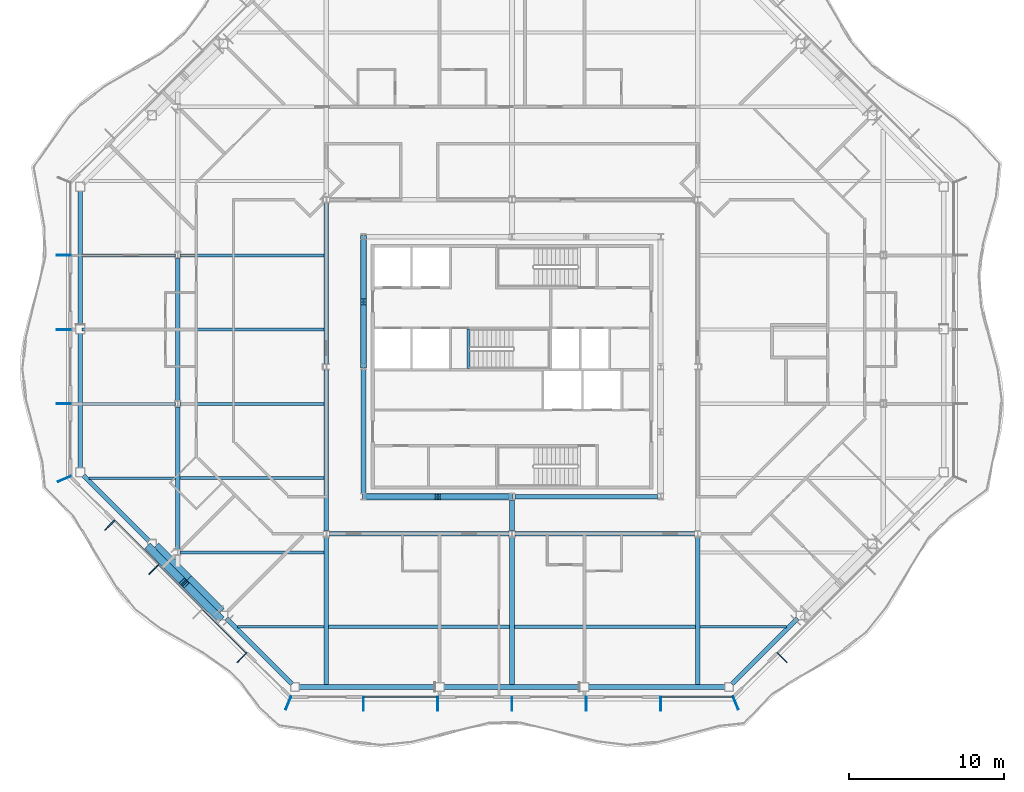
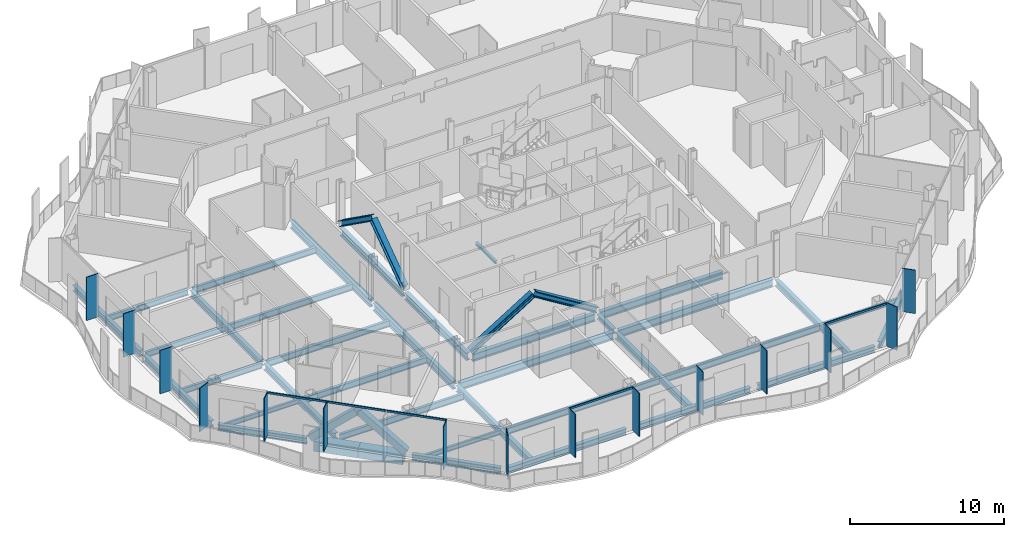
# One storey, part 3 of 21: 38 beams, 26 members, 4 elements without a shape of their own.
"""IFC4 building model written with IfcOpenShell, lengths in metres."""

from ifc_helpers import new_model, si_unit, direction, frame, origin, origin_2d, place, context, subcontext, project, spatial, rectangle, hollow_rectangle, i_section, extrude, material, material_profile, profile_set, type_object, element, aggregate, save


model = new_model("IFC4")

# Units and contexts
model_context = context("Model", 3, precision=1e-05, world=origin(), true_north=direction((0.0, 1.0)))
body_context = subcontext(model_context, "Body", "Model", "MODEL_VIEW")
ifc_project = project(units=[si_unit("LENGTHUNIT", "METRE"), si_unit("AREAUNIT", "SQUARE_METRE"), si_unit("VOLUMEUNIT", "CUBIC_METRE"), si_unit("PLANEANGLEUNIT", "RADIAN"), si_unit("MASSUNIT", "GRAM", prefix="KILO")], contexts=[model_context])

# Site, building, storey
site_placement = place(None, origin())
site = spatial("IfcSite", under=ifc_project, at=site_placement, CompositionType="ELEMENT")
building_placement = place(site_placement, origin())
building = spatial("IfcBuilding", under=site, at=building_placement, Name="Cairn Pilgrim Tower", CompositionType="ELEMENT")
storey_placement = place(building_placement, frame((0.0, 0.0, 157.800048828125)))
storey = spatial("IfcBuildingStorey", under=building, at=storey_placement, Name="L39", CompositionType="ELEMENT", Elevation=157.800048828125)

# Members
ifc_material_1 = material(Name="Structural steel S460M", Category="steel")
ifc_material_profile_1 = material_profile(ifc_material_1, hollow_rectangle(XDim=0.5, YDim=0.5, WallThickness=0.030029296875, at=origin_2d()), Name="BOX 500x500x30")
ifc_profile_set_1 = profile_set([ifc_material_profile_1], Name="Structural steel S460M")
member_type_1 = type_object("IfcMemberType", Name="BOX 500x500x30 BRACE", PredefinedType="BRACE", material=ifc_profile_set_1)
for number, where, z_axis, x_axis, name in (
    (1, (-16.243408203125, -9.2978515625, 0.14990234375), (0.532872437944, -0.54041586551, 0.651151024866), (0.712058976351, 0.702119658034, 0.0), "XB-SW2-SW3-1"),
    (2, (-11.697998046875, -13.84326171875, 0.14990234375), (-0.540432836476, 0.53283023714, 0.651171473306), (-0.702080283622, -0.712097799006, 0.0), "XB-SW2-SW3-2"),
):
    element("IfcMember", number, at=place(storey_placement, frame(where, z_axis=z_axis, x_axis=x_axis)), inside=storey, type_object=member_type_1, Name=name, PredefinedType="BRACE", context=body_context, shape_type="SweptSolid", body=[
        extrude(hollow_rectangle(XDim=0.5, YDim=0.5, WallThickness=0.030029296875, at=origin_2d()), origin(), (0.0, 0.0, 1.0), 4.142578125),
    ])

# Beams
ifc_material_2 = material(Name="Structural steel S355J2", Category="steel")
ifc_material_profile_2 = material_profile(ifc_material_2, hollow_rectangle(XDim=0.699951171875, YDim=0.800048828125, WallThickness=0.0400390625, at=origin_2d()), Name="BOX 700x800x40")
ifc_profile_set_2 = profile_set([ifc_material_profile_2], Name="Structural steel S355J2")
beam_type_1 = type_object("IfcBeamType", Name="BOX 700x800x40 RING GIRDER", PredefinedType="SPANDREL", material=ifc_profile_set_2)
beam_1_placement = place(storey_placement, frame((-15.884765625, -9.242431640625, -0.550048828125), z_axis=(0.707106781187, -0.707106781187, 0.0), x_axis=(0.707106781187, 0.707106781187, 0.0)))
element("IfcBeam", 3, at=beam_1_placement, inside=storey, type_object=beam_type_1, Name="RG2-SW2-SW3-1", PredefinedType="SPANDREL", context=body_context, shape_type="SweptSolid", body=[
    extrude(hollow_rectangle(XDim=0.699951171875, YDim=0.800048828125, WallThickness=0.0400390625, at=origin_2d()), origin(), (0.0, 0.0, 1.0), 2.999755859375),
])
beam_2_placement = place(storey_placement, frame((-13.763671875, -11.363525390625, -0.550048828125), z_axis=(0.707106781187, -0.707106781187, 0.0), x_axis=(0.707106781187, 0.707106781187, 0.0)))
element("IfcBeam", 4, at=beam_2_placement, inside=storey, type_object=beam_type_1, Name="RG2-SW2-SW3-2", PredefinedType="SPANDREL", context=body_context, shape_type="SweptSolid", body=[
    extrude(hollow_rectangle(XDim=0.699951171875, YDim=0.800048828125, WallThickness=0.0400390625, at=origin_2d()), origin(), (0.0, 0.0, 1.0), 3.0),
])

# Curtain wall, members
ifc_material_3 = material(Name="Aluminium alloy 6063-T6 bronze anodised with Bronze tinted laminated low-E glass 8+16+8.8", Category="aluminium")
curtain_wall_type_1 = type_object("IfcCurtainWallType", Name="TOWER STICK CURTAIN WALL NS", PredefinedType="NOTDEFINED", material=ifc_material_3)
curtain_wall_1_placement = place(storey_placement, origin())
curtain_wall_1 = element("IfcCurtainWall", 5, at=curtain_wall_1_placement, inside=storey, type_object=curtain_wall_type_1, Name="Tower Stick Curtain Wall Ns S", PredefinedType="NOTDEFINED")
ifc_material_4 = material(Name="Aluminium alloy 6063-T6 bronze anodised", Category="aluminium")
ifc_material_profile_3 = material_profile(ifc_material_4, rectangle(XDim=0.89990234375, YDim=0.06005859375, at=origin_2d()), Name="FIN MULLION 60x900 BRONZE")
ifc_profile_set_3 = profile_set([ifc_material_profile_3], Name="Aluminium alloy 6063-T6 bronze anodised")
member_type_2 = type_object("IfcMemberType", Name="FIN MULLION 60x900 BRONZE", PredefinedType="MULLION", material=ifc_profile_set_3)
member_1_placement = place(storey_placement, frame((-7.257080078125, -19.338134765625, 0.0), z_axis=(0.0, 0.0, 1.0), x_axis=(-0.382683432365, -0.923879532511, 0.0)))
member_1 = element("IfcMember", 6, at=member_1_placement, type_object=member_type_2, Name="Fin mullion S1", PredefinedType="MULLION", context=body_context, shape_type="SweptSolid", body=[
    extrude(rectangle(XDim=0.89990234375, YDim=0.06005859375, at=origin_2d()), origin(), (0.0, 0.0, 1.0), 3.449951171875),
])
member_2_placement = place(storey_placement, frame((-2.39990234375, -19.3701171875, 0.0), z_axis=(0.0, 0.0, 1.0), x_axis=(0.0, -1.0, 0.0)))
member_2 = element("IfcMember", 7, at=member_2_placement, type_object=member_type_2, Name="Fin mullion S2", PredefinedType="MULLION", context=body_context, shape_type="SweptSolid", body=[
    extrude(rectangle(XDim=0.89990234375, YDim=0.06005859375, at=origin_2d()), origin(), (0.0, 0.0, 1.0), 3.449951171875),
])
member_3_placement = place(storey_placement, frame((2.39990234375, -19.3701171875, 0.0), z_axis=(0.0, 0.0, 1.0), x_axis=(0.0, -1.0, 0.0)))
member_3 = element("IfcMember", 8, at=member_3_placement, type_object=member_type_2, Name="Fin mullion S3", PredefinedType="MULLION", context=body_context, shape_type="SweptSolid", body=[
    extrude(rectangle(XDim=0.89990234375, YDim=0.06005859375, at=origin_2d()), origin(), (0.0, 0.0, 1.0), 3.449951171875),
])
member_4_placement = place(storey_placement, frame((7.199951171875, -19.3701171875, 0.0), z_axis=(0.0, 0.0, 1.0), x_axis=(0.0, -1.0, 0.0)))
member_4 = element("IfcMember", 9, at=member_4_placement, type_object=member_type_2, Name="Fin mullion S4", PredefinedType="MULLION", context=body_context, shape_type="SweptSolid", body=[
    extrude(rectangle(XDim=0.89990234375, YDim=0.06005859375, at=origin_2d()), origin(), (0.0, 0.0, 1.0), 3.449951171875),
])
member_5_placement = place(storey_placement, frame((12.0, -19.3701171875, 0.0), z_axis=(0.0, 0.0, 1.0), x_axis=(0.0, -1.0, 0.0)))
member_5 = element("IfcMember", 10, at=member_5_placement, type_object=member_type_2, Name="Fin mullion S5", PredefinedType="MULLION", context=body_context, shape_type="SweptSolid", body=[
    extrude(rectangle(XDim=0.89990234375, YDim=0.06005859375, at=origin_2d()), origin(), (0.0, 0.0, 1.0), 3.449951171875),
])
member_6_placement = place(storey_placement, frame((16.800048828125, -19.3701171875, 0.0), z_axis=(0.0, 0.0, 1.0), x_axis=(0.0, -1.0, 0.0)))
member_6 = element("IfcMember", 11, at=member_6_placement, type_object=member_type_2, Name="Fin mullion S6", PredefinedType="MULLION", context=body_context, shape_type="SweptSolid", body=[
    extrude(rectangle(XDim=0.89990234375, YDim=0.06005859375, at=origin_2d()), origin(), (0.0, 0.0, 1.0), 3.449951171875),
])

curtain_wall_type_2 = type_object("IfcCurtainWallType", Name="CHAMFER CORNER CURTAIN WALL", PredefinedType="NOTDEFINED", material=ifc_material_3)
curtain_wall_2_placement = place(storey_placement, origin())
curtain_wall_2 = element("IfcCurtainWall", 12, at=curtain_wall_2_placement, inside=storey, type_object=curtain_wall_type_2, Name="Chamfer Corner Curtain Wall SE", PredefinedType="NOTDEFINED")
member_7_placement = place(storey_placement, frame((21.6572265625, -19.338134765625, 0.0), z_axis=(0.0, 0.0, 1.0), x_axis=(0.382683432365, -0.923879532511, 0.0)))
member_7 = element("IfcMember", 13, at=member_7_placement, type_object=member_type_2, Name="Fin mullion SE1", PredefinedType="MULLION", context=body_context, shape_type="SweptSolid", body=[
    extrude(rectangle(XDim=0.89990234375, YDim=0.06005859375, at=origin_2d()), origin(), (0.0, 0.0, 1.0), 3.449951171875),
])
member_8_placement = place(storey_placement, frame((24.64404296875, -16.396240234375, 0.0), z_axis=(0.0, 0.0, 1.0), x_axis=(0.707106781187, -0.707106781187, 0.0)))
member_8 = element("IfcMember", 14, at=member_8_placement, type_object=member_type_2, Name="Fin mullion SE2", PredefinedType="MULLION", context=body_context, shape_type="SweptSolid", body=[
    extrude(rectangle(XDim=0.89990234375, YDim=0.06005859375, at=origin_2d()), origin(), (0.0, 0.0, 1.0), 3.449951171875),
])
aggregate(curtain_wall_2, [member_7, member_8])

curtain_wall_type_3 = type_object("IfcCurtainWallType", Name="TOWER STICK CURTAIN WALL EW", PredefinedType="NOTDEFINED", material=ifc_material_3)
curtain_wall_3_placement = place(storey_placement, origin())
curtain_wall_3 = element("IfcCurtainWall", 15, at=curtain_wall_3_placement, inside=storey, type_object=curtain_wall_type_3, Name="Tower Stick Curtain Wall Ew W", PredefinedType="NOTDEFINED")
member_9_placement = place(storey_placement, frame((-21.77001953125, 9.60009765625, 0.0), z_axis=(0.0, 0.0, 1.0), x_axis=(-1.0, 0.0, 0.0)))
member_9 = element("IfcMember", 16, at=member_9_placement, type_object=member_type_2, Name="Fin mullion W2", PredefinedType="MULLION", context=body_context, shape_type="SweptSolid", body=[
    extrude(rectangle(XDim=0.89990234375, YDim=0.06005859375, at=origin_2d()), origin(), (0.0, 0.0, 1.0), 3.449951171875),
])
member_10_placement = place(storey_placement, frame((-21.77001953125, 4.800048828125, 0.0), z_axis=(0.0, 0.0, 1.0), x_axis=(-1.0, 0.0, 0.0)))
member_10 = element("IfcMember", 17, at=member_10_placement, type_object=member_type_2, Name="Fin mullion W3", PredefinedType="MULLION", context=body_context, shape_type="SweptSolid", body=[
    extrude(rectangle(XDim=0.89990234375, YDim=0.06005859375, at=origin_2d()), origin(), (0.0, 0.0, 1.0), 3.449951171875),
])
member_11_placement = place(storey_placement, frame((-21.77001953125, 0.0, 0.0), z_axis=(0.0, 0.0, 1.0), x_axis=(-1.0, 0.0, 0.0)))
member_11 = element("IfcMember", 18, at=member_11_placement, type_object=member_type_2, Name="Fin mullion W4", PredefinedType="MULLION", context=body_context, shape_type="SweptSolid", body=[
    extrude(rectangle(XDim=0.89990234375, YDim=0.06005859375, at=origin_2d()), origin(), (0.0, 0.0, 1.0), 3.449951171875),
])
aggregate(curtain_wall_3, [member_9, member_10, member_11])

curtain_wall_4_placement = place(storey_placement, origin())
curtain_wall_4 = element("IfcCurtainWall", 19, at=curtain_wall_4_placement, inside=storey, type_object=curtain_wall_type_2, Name="Chamfer Corner Curtain Wall SW", PredefinedType="NOTDEFINED")
member_12_placement = place(storey_placement, frame((-21.738037109375, -4.857177734375, 0.0), z_axis=(0.0, 0.0, 1.0), x_axis=(-0.923879532511, -0.382683432365, 0.0)))
member_12 = element("IfcMember", 20, at=member_12_placement, type_object=member_type_2, Name="Fin mullion SW1", PredefinedType="MULLION", context=body_context, shape_type="SweptSolid", body=[
    extrude(rectangle(XDim=0.89990234375, YDim=0.06005859375, at=origin_2d()), origin(), (0.0, 0.0, 1.0), 3.449951171875),
])
member_13_placement = place(storey_placement, frame((-18.79638671875, -7.84423828125, 0.0), z_axis=(0.0, 0.0, 1.0), x_axis=(-0.707106781187, -0.707106781187, 0.0)))
member_13 = element("IfcMember", 21, at=member_13_placement, type_object=member_type_2, Name="Fin mullion SW2", PredefinedType="MULLION", context=body_context, shape_type="SweptSolid", body=[
    extrude(rectangle(XDim=0.89990234375, YDim=0.06005859375, at=origin_2d()), origin(), (0.0, 0.0, 1.0), 3.449951171875),
])
member_14_placement = place(storey_placement, frame((-15.945556640625, -10.69482421875, 0.0), z_axis=(0.0, 0.0, 1.0), x_axis=(-0.707106781187, -0.707106781187, 0.0)))
member_14 = element("IfcMember", 22, at=member_14_placement, type_object=member_type_2, Name="Fin mullion SW3", PredefinedType="MULLION", context=body_context, shape_type="SweptSolid", body=[
    extrude(rectangle(XDim=0.89990234375, YDim=0.06005859375, at=origin_2d()), origin(), (0.0, 0.0, 1.0), 3.449951171875),
])
member_15_placement = place(storey_placement, frame((-10.244140625, -16.396240234375, 0.0), z_axis=(0.0, 0.0, 1.0), x_axis=(-0.707106781187, -0.707106781187, 0.0)))
member_15 = element("IfcMember", 23, at=member_15_placement, type_object=member_type_2, Name="Fin mullion SW5", PredefinedType="MULLION", context=body_context, shape_type="SweptSolid", body=[
    extrude(rectangle(XDim=0.89990234375, YDim=0.06005859375, at=origin_2d()), origin(), (0.0, 0.0, 1.0), 3.449951171875),
])

# Members
ifc_material_profile_4 = material_profile(ifc_material_1, i_section(OverallWidth=0.408935546875, OverallDepth=0.425048828125, WebThickness=0.03271484375, FlangeThickness=0.052490234375, FilletRadius=0.014892578125, at=origin_2d()), Name="HD 400x421")
ifc_profile_set_4 = profile_set([ifc_material_profile_4], Name="Structural steel S460M")
member_type_3 = type_object("IfcMemberType", Name="HD 400x421 BRACE", PredefinedType="BRACE", material=ifc_profile_set_4)
for number, where, z_axis, x_axis, name in (
    (24, (-2.3583984375, -6.0, 0.099853515625), (0.851099832195, 0.0, 0.525003881545), (0.0, 1.0, 0.0), "KB-1A"),
    (25, (7.158447265625, -6.0, 0.099853515625), (-0.85111200398, 0.0, 0.524984148981), (0.0, -1.0, 0.0), "KB-1B"),
):
    element("IfcMember", number, at=place(storey_placement, frame(where, z_axis=z_axis, x_axis=x_axis)), inside=storey, type_object=member_type_3, Name=name, PredefinedType="BRACE", context=body_context, shape_type="SweptSolid", body=[
        extrude(i_section(OverallWidth=0.408935546875, OverallDepth=0.425048828125, WebThickness=0.03271484375, FlangeThickness=0.052490234375, FilletRadius=0.014892578125, at=origin_2d()), origin(), (0.0, 0.0, 1.0), 5.5283203125),
    ])
for number, where, z_axis, x_axis, name in (
    (26, (-2.39990234375, 10.75830078125, 0.099853515625), (0.0, -0.81433042856, 0.580401544727), (1.0, 0.0, 0.0), "KB-4A"),
    (27, (-2.39990234375, 2.441650390625, 0.099853515625), (0.0, 0.81433042856, 0.580401544727), (-1.0, 0.0, 0.0), "KB-4B"),
):
    element("IfcMember", number, at=place(storey_placement, frame(where, z_axis=z_axis, x_axis=x_axis)), inside=storey, type_object=member_type_3, Name=name, PredefinedType="BRACE", context=body_context, shape_type="SweptSolid", body=[
        extrude(i_section(OverallWidth=0.408935546875, OverallDepth=0.425048828125, WebThickness=0.03271484375, FlangeThickness=0.052490234375, FilletRadius=0.014892578125, at=origin_2d()), origin(), (0.0, 0.0, 1.0), 4.998046875),
    ])

# Beams
ifc_material_profile_5 = material_profile(ifc_material_2, i_section(OverallWidth=0.300048828125, OverallDepth=0.39990234375, WebThickness=0.013427734375, FlangeThickness=0.02392578125, FilletRadius=0.027099609375, at=origin_2d()), Name="HEB 400")
ifc_profile_set_5 = profile_set([ifc_material_profile_5], Name="Structural steel S355J2")
beam_type_2 = type_object("IfcBeamType", Name="HEB 400 GIRDER", PredefinedType="BEAM", material=ifc_profile_set_5)
beam_3_placement = place(storey_placement, frame((7.199951171875, -8.200439453125, -0.35009765625), z_axis=(0.0, 1.0, 0.0), x_axis=(-1.0, 0.0, 0.0)))
element("IfcBeam", 28, at=beam_3_placement, inside=storey, type_object=beam_type_2, Name="PG3-E1", PredefinedType="BEAM", context=body_context, shape_type="SweptSolid", body=[
    extrude(i_section(OverallWidth=0.300048828125, OverallDepth=0.39990234375, WebThickness=0.013427734375, FlangeThickness=0.02392578125, FilletRadius=0.027099609375, at=origin_2d()), origin(), (0.0, 0.0, 1.0), 1.992431640625),
])
ifc_material_profile_6 = material_profile(ifc_material_2, i_section(OverallWidth=0.300048828125, OverallDepth=0.5, WebThickness=0.014404296875, FlangeThickness=0.028076171875, FilletRadius=0.027099609375, at=origin_2d()), Name="HEB 500")
ifc_profile_set_6 = profile_set([ifc_material_profile_6], Name="Structural steel S355J2")
beam_type_3 = type_object("IfcBeamType", Name="HEB 500 GIRDER", PredefinedType="BEAM", material=ifc_profile_set_6)
for number, where, z_axis, x_axis, name in (
    (29, (-14.39990234375, -9.400390625, -0.400146484375), (0.0, 1.0, 0.0), (-1.0, 0.0, 0.0), "PG1-1"),
    (30, (-14.39990234375, 0.199462890625, -0.400146484375), (0.0, 1.0, 0.0), (-1.0, 0.0, 0.0), "PG1-2"),
):
    element("IfcBeam", number, at=place(storey_placement, frame(where, z_axis=z_axis, x_axis=x_axis)), inside=storey, type_object=beam_type_3, Name=name, PredefinedType="BEAM", context=body_context, shape_type="SweptSolid", body=[
        extrude(i_section(OverallWidth=0.300048828125, OverallDepth=0.5, WebThickness=0.014404296875, FlangeThickness=0.028076171875, FilletRadius=0.027099609375, at=origin_2d()), origin(), (0.0, 0.0, 1.0), 9.200927734375),
    ])
for number, where, z_axis, x_axis, name in (
    (31, (-4.800048828125, -18.179931640625, -0.400146484375), (0.0, 1.0, 0.0), (-1.0, 0.0, 0.0), "PG2-1"),
    (32, (7.199951171875, -18.179931640625, -0.400146484375), (0.0, 1.0, 0.0), (-1.0, 0.0, 0.0), "PG3-1"),
    (33, (19.199951171875, -18.179931640625, -0.400146484375), (0.0, 1.0, 0.0), (-1.0, 0.0, 0.0), "PG4-1"),
):
    element("IfcBeam", number, at=place(storey_placement, frame(where, z_axis=z_axis, x_axis=x_axis)), inside=storey, type_object=beam_type_3, Name=name, PredefinedType="BEAM", context=body_context, shape_type="SweptSolid", body=[
        extrude(i_section(OverallWidth=0.300048828125, OverallDepth=0.5, WebThickness=0.014404296875, FlangeThickness=0.028076171875, FilletRadius=0.027099609375, at=origin_2d()), origin(), (0.0, 0.0, 1.0), 9.580322265625),
    ])
ifc_material_profile_7 = material_profile(ifc_material_2, i_section(OverallWidth=0.300048828125, OverallDepth=0.5, WebThickness=0.014404296875, FlangeThickness=0.028076171875, FilletRadius=0.027099609375, at=origin_2d()), Name="HEB 500")
ifc_profile_set_7 = profile_set([ifc_material_profile_7], Name="Structural steel S355J2")
beam_type_4 = type_object("IfcBeamType", Name="HEB 500 RING GIRDER", PredefinedType="SPANDREL", material=ifc_profile_set_7)
for number, where, z_axis, x_axis, name in (
    (34, (-6.55712890625, -18.300048828125, -0.400146484375), (1.0, 0.0, 0.0), (0.0, 1.0, 0.0), "RG2-S1-S2"),
    (35, (2.794189453125, -18.300048828125, -0.400146484375), (1.0, 0.0, 0.0), (0.0, 1.0, 0.0), "RG2-S2-S3"),
    (36, (12.145751953125, -18.300048828125, -0.400146484375), (1.0, 0.0, 0.0), (0.0, 1.0, 0.0), "RG2-S3-SE1"),
):
    element("IfcBeam", number, at=place(storey_placement, frame(where, z_axis=z_axis, x_axis=x_axis)), inside=storey, type_object=beam_type_4, Name=name, PredefinedType="SPANDREL", context=body_context, shape_type="SweptSolid", body=[
        extrude(i_section(OverallWidth=0.300048828125, OverallDepth=0.5, WebThickness=0.014404296875, FlangeThickness=0.028076171875, FilletRadius=0.027099609375, at=origin_2d()), origin(), (0.0, 0.0, 1.0), 8.8115234375),
    ])
beam_4_placement = place(storey_placement, frame((21.418212890625, -18.109130859375, -0.400146484375), z_axis=(0.707106781187, 0.707106781187, 0.0), x_axis=(-0.707106781187, 0.707106781187, 0.0)))
element("IfcBeam", 37, at=beam_4_placement, inside=storey, type_object=beam_type_4, Name="RG2-SE1-SE2", PredefinedType="SPANDREL", context=body_context, shape_type="SweptSolid", body=[
    extrude(i_section(OverallWidth=0.300048828125, OverallDepth=0.5, WebThickness=0.014404296875, FlangeThickness=0.028076171875, FilletRadius=0.027099609375, at=origin_2d()), origin(), (0.0, 0.0, 1.0), 5.999755859375),
])
beam_5_placement = place(storey_placement, frame((-20.699951171875, 13.757080078125, -0.400146484375), z_axis=(0.0, -1.0, 0.0), x_axis=(1.0, 0.0, 0.0)))
element("IfcBeam", 38, at=beam_5_placement, inside=storey, type_object=beam_type_4, Name="RG2-W1-W2", PredefinedType="SPANDREL", context=body_context, shape_type="SweptSolid", body=[
    extrude(i_section(OverallWidth=0.300048828125, OverallDepth=0.5, WebThickness=0.014404296875, FlangeThickness=0.028076171875, FilletRadius=0.027099609375, at=origin_2d()), origin(), (0.0, 0.0, 1.0), 8.68701171875),
])
beam_6_placement = place(storey_placement, frame((-20.699951171875, 4.530029296875, -0.400146484375), z_axis=(0.0, -1.0, 0.0), x_axis=(1.0, 0.0, 0.0)))
element("IfcBeam", 39, at=beam_6_placement, inside=storey, type_object=beam_type_4, Name="RG2-W2-SW1", PredefinedType="SPANDREL", context=body_context, shape_type="SweptSolid", body=[
    extrude(i_section(OverallWidth=0.300048828125, OverallDepth=0.5, WebThickness=0.014404296875, FlangeThickness=0.028076171875, FilletRadius=0.027099609375, at=origin_2d()), origin(), (0.0, 0.0, 1.0), 8.687255859375),
])
for number, where, z_axis, x_axis, name in (
    (40, (-20.509033203125, -4.6181640625, -0.400146484375), (0.707106781187, -0.707106781187, 0.0), (0.707106781187, 0.707106781187, 0.0), "RG2-SW1-SW2"),
    (41, (-11.260498046875, -13.86669921875, -0.400146484375), (0.707106781187, -0.707106781187, 0.0), (0.707106781187, 0.707106781187, 0.0), "RG2-SW3-S1"),
):
    element("IfcBeam", number, at=place(storey_placement, frame(where, z_axis=z_axis, x_axis=x_axis)), inside=storey, type_object=beam_type_4, Name=name, PredefinedType="SPANDREL", context=body_context, shape_type="SweptSolid", body=[
        extrude(i_section(OverallWidth=0.300048828125, OverallDepth=0.5, WebThickness=0.014404296875, FlangeThickness=0.028076171875, FilletRadius=0.027099609375, at=origin_2d()), origin(), (0.0, 0.0, 1.0), 5.999755859375),
    ])
ifc_material_profile_8 = material_profile(ifc_material_2, i_section(OverallWidth=0.300048828125, OverallDepth=0.60009765625, WebThickness=0.015380859375, FlangeThickness=0.030029296875, FilletRadius=0.027099609375, at=origin_2d()), Name="HEB 600")
ifc_profile_set_8 = profile_set([ifc_material_profile_8], Name="Structural steel S355J2")
beam_type_5 = type_object("IfcBeamType", Name="HEB 600 CORE BEAM", PredefinedType="BEAM", material=ifc_profile_set_8)
for number, where, z_axis, x_axis, name in (
    (42, (-2.212890625, -6.0, -0.449951171875), (1.0, 0.0, 0.0), (0.0, 1.0, 0.0), "CB-1"),
    (43, (7.38720703125, -6.0, -0.449951171875), (1.0, 0.0, 0.0), (0.0, 1.0, 0.0), "CB-2"),
):
    element("IfcBeam", number, at=place(storey_placement, frame(where, z_axis=z_axis, x_axis=x_axis)), inside=storey, type_object=beam_type_5, Name=name, PredefinedType="BEAM", context=body_context, shape_type="SweptSolid", body=[
        extrude(i_section(OverallWidth=0.300048828125, OverallDepth=0.60009765625, WebThickness=0.015380859375, FlangeThickness=0.030029296875, FilletRadius=0.027099609375, at=origin_2d()), origin(), (0.0, 0.0, 1.0), 9.2255859375),
    ])
for number, where, z_axis, x_axis, name in (
    (44, (-2.39990234375, 10.61279296875, -0.449951171875), (0.0, -1.0, 0.0), (1.0, 0.0, 0.0), "CB-7"),
    (45, (-2.39990234375, 2.212890625, -0.449951171875), (0.0, -1.0, 0.0), (1.0, 0.0, 0.0), "CB-8"),
):
    element("IfcBeam", number, at=place(storey_placement, frame(where, z_axis=z_axis, x_axis=x_axis)), inside=storey, type_object=beam_type_5, Name=name, PredefinedType="BEAM", context=body_context, shape_type="SweptSolid", body=[
        extrude(i_section(OverallWidth=0.300048828125, OverallDepth=0.60009765625, WebThickness=0.015380859375, FlangeThickness=0.030029296875, FilletRadius=0.027099609375, at=origin_2d()), origin(), (0.0, 0.0, 1.0), 8.025634765625),
    ])
ifc_material_profile_9 = material_profile(ifc_material_2, i_section(OverallWidth=0.300048828125, OverallDepth=0.60009765625, WebThickness=0.015380859375, FlangeThickness=0.030029296875, FilletRadius=0.027099609375, at=origin_2d()), Name="HEB 600")
ifc_profile_set_9 = profile_set([ifc_material_profile_9], Name="Structural steel S355J2")
beam_type_6 = type_object("IfcBeamType", Name="HEB 600 GIRDER", PredefinedType="BEAM", material=ifc_profile_set_9)
for number, where, z_axis, x_axis, name in (
    (46, (-4.800048828125, -8.200439453125, -0.449951171875), (0.0, 1.0, 0.0), (-1.0, 0.0, 0.0), "PG2-2"),
    (47, (-4.800048828125, 2.599609375, -0.449951171875), (0.0, 1.0, 0.0), (-1.0, 0.0, 0.0), "PG2-3"),
):
    element("IfcBeam", number, at=place(storey_placement, frame(where, z_axis=z_axis, x_axis=x_axis)), inside=storey, type_object=beam_type_6, Name=name, PredefinedType="BEAM", context=body_context, shape_type="SweptSolid", body=[
        extrude(i_section(OverallWidth=0.300048828125, OverallDepth=0.60009765625, WebThickness=0.015380859375, FlangeThickness=0.030029296875, FilletRadius=0.027099609375, at=origin_2d()), origin(), (0.0, 0.0, 1.0), 10.40087890625),
    ])
ifc_material_profile_10 = material_profile(ifc_material_2, i_section(OverallWidth=0.300048828125, OverallDepth=0.60009765625, WebThickness=0.015380859375, FlangeThickness=0.030029296875, FilletRadius=0.027099609375, at=origin_2d()), Name="HEB 600")
ifc_profile_set_10 = profile_set([ifc_material_profile_10], Name="Structural steel S355J2")
beam_type_7 = type_object("IfcBeamType", Name="HEB 600 INNER GIRDER", PredefinedType="BEAM", material=ifc_profile_set_10)
for number, where, z_axis, x_axis, name in (
    (48, (-4.6005859375, -8.39990234375, -0.449951171875), (1.0, 0.0, 0.0), (0.0, 1.0, 0.0), "IG1-1"),
    (49, (7.3994140625, -8.39990234375, -0.449951171875), (1.0, 0.0, 0.0), (0.0, 1.0, 0.0), "IG1-2"),
):
    element("IfcBeam", number, at=place(storey_placement, frame(where, z_axis=z_axis, x_axis=x_axis)), inside=storey, type_object=beam_type_7, Name=name, PredefinedType="BEAM", context=body_context, shape_type="SweptSolid", body=[
        extrude(i_section(OverallWidth=0.300048828125, OverallDepth=0.60009765625, WebThickness=0.015380859375, FlangeThickness=0.030029296875, FilletRadius=0.027099609375, at=origin_2d()), origin(), (0.0, 0.0, 1.0), 11.60107421875),
    ])
ifc_material_profile_11 = material_profile(ifc_material_2, i_section(OverallWidth=0.169921875, OverallDepth=0.360107421875, WebThickness=0.008056640625, FlangeThickness=0.0126953125, FilletRadius=0.01806640625, at=origin_2d()), Name="IPE 360")
ifc_profile_set_11 = profile_set([ifc_material_profile_11], Name="Structural steel S355J2")
beam_type_8 = type_object("IfcBeamType", Name="IPE 360 SECONDARY BEAM", PredefinedType="JOIST", material=ifc_profile_set_11)
beam_7_placement = place(storey_placement, frame((-10.545166015625, -14.39990234375, -0.330078125), z_axis=(1.0, 0.0, 0.0), x_axis=(0.0, 1.0, 0.0)))
element("IfcBeam", 50, at=beam_7_placement, inside=storey, type_object=beam_type_8, Name="SB1-1", PredefinedType="JOIST", context=body_context, shape_type="SweptSolid", body=[
    extrude(i_section(OverallWidth=0.169921875, OverallDepth=0.360107421875, WebThickness=0.008056640625, FlangeThickness=0.0126953125, FilletRadius=0.01806640625, at=origin_2d()), origin(), (0.0, 0.0, 1.0), 5.59521484375),
])
for number, where, z_axis, x_axis, name in (
    (51, (19.35009765625, -14.39990234375, -0.330078125), (1.0, 0.0, 0.0), (0.0, 1.0, 0.0), "SB1-4"),
    (52, (-20.14501953125, -4.800048828125, -0.330078125), (1.0, 0.0, 0.0), (0.0, 1.0, 0.0), "SB3-1"),
):
    element("IfcBeam", number, at=place(storey_placement, frame(where, z_axis=z_axis, x_axis=x_axis)), inside=storey, type_object=beam_type_8, Name=name, PredefinedType="JOIST", context=body_context, shape_type="SweptSolid", body=[
        extrude(i_section(OverallWidth=0.169921875, OverallDepth=0.360107421875, WebThickness=0.008056640625, FlangeThickness=0.0126953125, FilletRadius=0.01806640625, at=origin_2d()), origin(), (0.0, 0.0, 1.0), 5.594970703125),
    ])
ifc_material_profile_12 = material_profile(ifc_material_2, i_section(OverallWidth=0.18994140625, OverallDepth=0.449951171875, WebThickness=0.009521484375, FlangeThickness=0.0146484375, FilletRadius=0.02099609375, at=origin_2d()), Name="IPE 450")
ifc_profile_set_12 = profile_set([ifc_material_profile_12], Name="Structural steel S355J2")
beam_type_9 = type_object("IfcBeamType", Name="IPE 450 SECONDARY BEAM", PredefinedType="JOIST", material=ifc_profile_set_12)
for number, where, z_axis, x_axis, name in (
    (53, (-20.580078125, 0.0, -0.375), (1.0, 0.0, 0.0), (0.0, 1.0, 0.0), "SB4-1"),
    (54, (-20.580078125, 4.800048828125, -0.375), (1.0, 0.0, 0.0), (0.0, 1.0, 0.0), "SB5-1"),
    (55, (-20.580078125, 9.60009765625, -0.375), (1.0, 0.0, 0.0), (0.0, 1.0, 0.0), "SB6-1"),
):
    element("IfcBeam", number, at=place(storey_placement, frame(where, z_axis=z_axis, x_axis=x_axis)), inside=storey, type_object=beam_type_9, Name=name, PredefinedType="JOIST", context=body_context, shape_type="SweptSolid", body=[
        extrude(i_section(OverallWidth=0.18994140625, OverallDepth=0.449951171875, WebThickness=0.009521484375, FlangeThickness=0.0146484375, FilletRadius=0.02099609375, at=origin_2d()), origin(), (0.0, 0.0, 1.0), 6.030029296875),
    ])
ifc_material_profile_13 = material_profile(ifc_material_2, i_section(OverallWidth=0.199951171875, OverallDepth=0.5, WebThickness=0.01025390625, FlangeThickness=0.01611328125, FilletRadius=0.02099609375, at=origin_2d()), Name="IPE 500")
ifc_profile_set_13 = profile_set([ifc_material_profile_13], Name="Structural steel S355J2")
beam_type_10 = type_object("IfcBeamType", Name="IPE 500 SECONDARY BEAM", PredefinedType="JOIST", material=ifc_profile_set_13)
for number, where, z_axis, x_axis, name in (
    (56, (-14.25, -9.60009765625, -0.400146484375), (1.0, 0.0, 0.0), (0.0, 1.0, 0.0), "SB2-1"),
    (57, (-14.25, -4.800048828125, -0.400146484375), (1.0, 0.0, 0.0), (0.0, 1.0, 0.0), "SB3-2"),
    (58, (-14.25, 0.0, -0.400146484375), (1.0, 0.0, 0.0), (0.0, 1.0, 0.0), "SB4-2"),
    (59, (-14.25, 4.800048828125, -0.400146484375), (1.0, 0.0, 0.0), (0.0, 1.0, 0.0), "SB5-2"),
    (60, (-14.25, 9.60009765625, -0.400146484375), (1.0, 0.0, 0.0), (0.0, 1.0, 0.0), "SB6-2"),
):
    element("IfcBeam", number, at=place(storey_placement, frame(where, z_axis=z_axis, x_axis=x_axis)), inside=storey, type_object=beam_type_10, Name=name, PredefinedType="JOIST", context=body_context, shape_type="SweptSolid", body=[
        extrude(i_section(OverallWidth=0.199951171875, OverallDepth=0.5, WebThickness=0.01025390625, FlangeThickness=0.01611328125, FilletRadius=0.02099609375, at=origin_2d()), origin(), (0.0, 0.0, 1.0), 9.300048828125),
    ])
ifc_material_profile_14 = material_profile(ifc_material_2, i_section(OverallWidth=0.2099609375, OverallDepth=0.550048828125, WebThickness=0.010986328125, FlangeThickness=0.01708984375, FilletRadius=0.02392578125, at=origin_2d()), Name="IPE 550")
ifc_profile_set_14 = profile_set([ifc_material_profile_14], Name="Structural steel S355J2")
beam_type_11 = type_object("IfcBeamType", Name="IPE 550 SECONDARY BEAM", PredefinedType="JOIST", material=ifc_profile_set_14)
for number, where, z_axis, x_axis, name in (
    (61, (-4.64990234375, -14.39990234375, -0.425048828125), (1.0, 0.0, 0.0), (0.0, 1.0, 0.0), "SB1-2"),
    (62, (7.35009765625, -14.39990234375, -0.425048828125), (1.0, 0.0, 0.0), (0.0, 1.0, 0.0), "SB1-3"),
):
    element("IfcBeam", number, at=place(storey_placement, frame(where, z_axis=z_axis, x_axis=x_axis)), inside=storey, type_object=beam_type_11, Name=name, PredefinedType="JOIST", context=body_context, shape_type="SweptSolid", body=[
        extrude(i_section(OverallWidth=0.2099609375, OverallDepth=0.550048828125, WebThickness=0.010986328125, FlangeThickness=0.01708984375, FilletRadius=0.02392578125, at=origin_2d()), origin(), (0.0, 0.0, 1.0), 11.699951171875),
    ])
ifc_material_profile_15 = material_profile(ifc_material_2, i_section(OverallWidth=0.199951171875, OverallDepth=0.199951171875, WebThickness=0.009033203125, FlangeThickness=0.014892578125, FilletRadius=0.01806640625, at=origin_2d()), Name="HE 200 B")
ifc_profile_set_15 = profile_set([ifc_material_profile_15], Name="Structural steel S355J2")
beam_type_12 = type_object("IfcBeamType", Name="STAIR LANDING BEAM HE 200 B", PredefinedType="BEAM", material=ifc_profile_set_15)
beam_8_placement = place(storey_placement, frame((4.37548828125, 2.27490234375, -0.25), z_axis=(0.0, 1.0, 0.0), x_axis=(-1.0, 0.0, 0.0)))
element("IfcBeam", 63, at=beam_8_placement, inside=storey, type_object=beam_type_12, Name="STAIR LANDING BEAM LD-HE200B", PredefinedType="BEAM", context=body_context, shape_type="SweptSolid", body=[
    extrude(i_section(OverallWidth=0.199951171875, OverallDepth=0.199951171875, WebThickness=0.009033203125, FlangeThickness=0.014892578125, FilletRadius=0.01806640625, at=origin_2d()), origin(), (0.0, 0.0, 1.0), 2.550048828125),
])

# Member
ifc_material_profile_16 = material_profile(ifc_material_4, rectangle(XDim=0.080078125, YDim=0.14990234375, at=origin_2d()), Name="TRANSOM 80x150 BRONZE")
ifc_profile_set_16 = profile_set([ifc_material_profile_16], Name="Aluminium alloy 6063-T6 bronze anodised")
member_type_4 = type_object("IfcMemberType", Name="TRANSOM 80x150 BRONZE", PredefinedType="USERDEFINED", material=ifc_profile_set_16)
member_16_placement = place(storey_placement, frame((-2.3701171875, -18.949951171875, 3.375), z_axis=(1.0, 0.0, 0.0), x_axis=(0.0, 1.0, 0.0)))
member_16 = element("IfcMember", 64, at=member_16_placement, type_object=member_type_4, Name="Transom S2", ObjectType="TRANSOM", PredefinedType="USERDEFINED", context=body_context, shape_type="SweptSolid", body=[
    extrude(rectangle(XDim=0.080078125, YDim=0.14990234375, at=origin_2d()), origin(), (0.0, 0.0, 1.0), 4.740234375),
])

member_17_placement = place(storey_placement, frame((16.830078125, -18.949951171875, 3.375), z_axis=(1.0, 0.0, 0.0), x_axis=(0.0, 1.0, 0.0)))
member_17 = element("IfcMember", 65, at=member_17_placement, type_object=member_type_4, Name="Transom S6", ObjectType="TRANSOM", PredefinedType="USERDEFINED", context=body_context, shape_type="SweptSolid", body=[
    extrude(rectangle(XDim=0.080078125, YDim=0.14990234375, at=origin_2d()), origin(), (0.0, 0.0, 1.0), 4.62646484375),
])

aggregate(curtain_wall_1, [member_1, member_2, member_3, member_4, member_5, member_6, member_16, member_17])

member_18_placement = place(storey_placement, frame((-18.47802734375, -7.568359375, 3.375), z_axis=(0.707106781187, -0.707106781187, 0.0), x_axis=(0.707106781187, 0.707106781187, 0.0)))
member_18 = element("IfcMember", 66, at=member_18_placement, type_object=member_type_4, Name="Transom SW2", ObjectType="TRANSOM", PredefinedType="USERDEFINED", context=body_context, shape_type="SweptSolid", body=[
    extrude(rectangle(XDim=0.080078125, YDim=0.14990234375, at=origin_2d()), origin(), (0.0, 0.0, 1.0), 3.9716796875),
])

member_19_placement = place(storey_placement, frame((-15.62744140625, -10.419189453125, 3.375), z_axis=(0.70713751761, -0.707076043427, 0.0), x_axis=(0.707076043427, 0.70713751761, 0.0)))
member_19 = element("IfcMember", 67, at=member_19_placement, type_object=member_type_4, Name="Transom SW3", ObjectType="TRANSOM", PredefinedType="USERDEFINED", context=body_context, shape_type="SweptSolid", body=[
    extrude(rectangle(XDim=0.080078125, YDim=0.14990234375, at=origin_2d()), origin(), (0.0, 0.0, 1.0), 3.971435546875),
])

member_20_placement = place(storey_placement, frame((-12.776611328125, -13.269775390625, 3.375), z_axis=(0.707106781187, -0.707106781187, 0.0), x_axis=(0.707106781187, 0.707106781187, 0.0)))
member_20 = element("IfcMember", 68, at=member_20_placement, type_object=member_type_4, Name="Transom SW4", ObjectType="TRANSOM", PredefinedType="USERDEFINED", context=body_context, shape_type="SweptSolid", body=[
    extrude(rectangle(XDim=0.080078125, YDim=0.14990234375, at=origin_2d()), origin(), (0.0, 0.0, 1.0), 3.9716796875),
])

aggregate(curtain_wall_4, [member_12, member_13, member_14, member_15, member_18, member_19, member_20])

save(model, "model.ifc")
